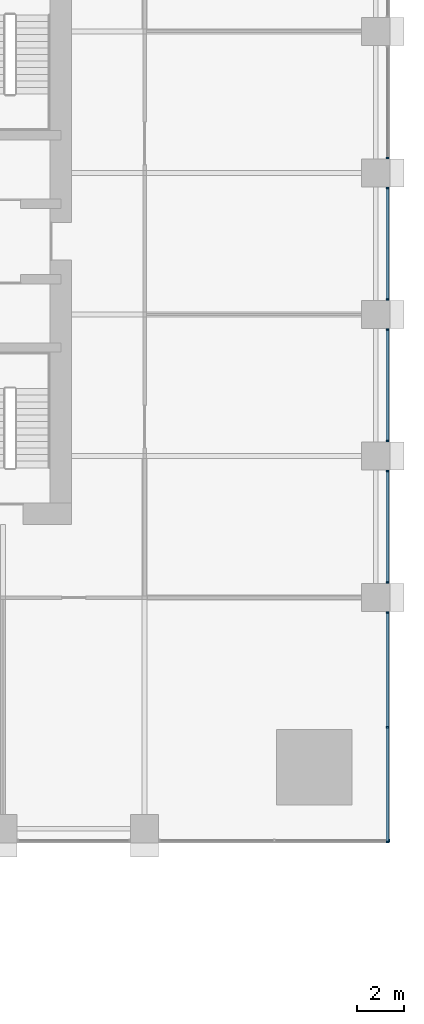
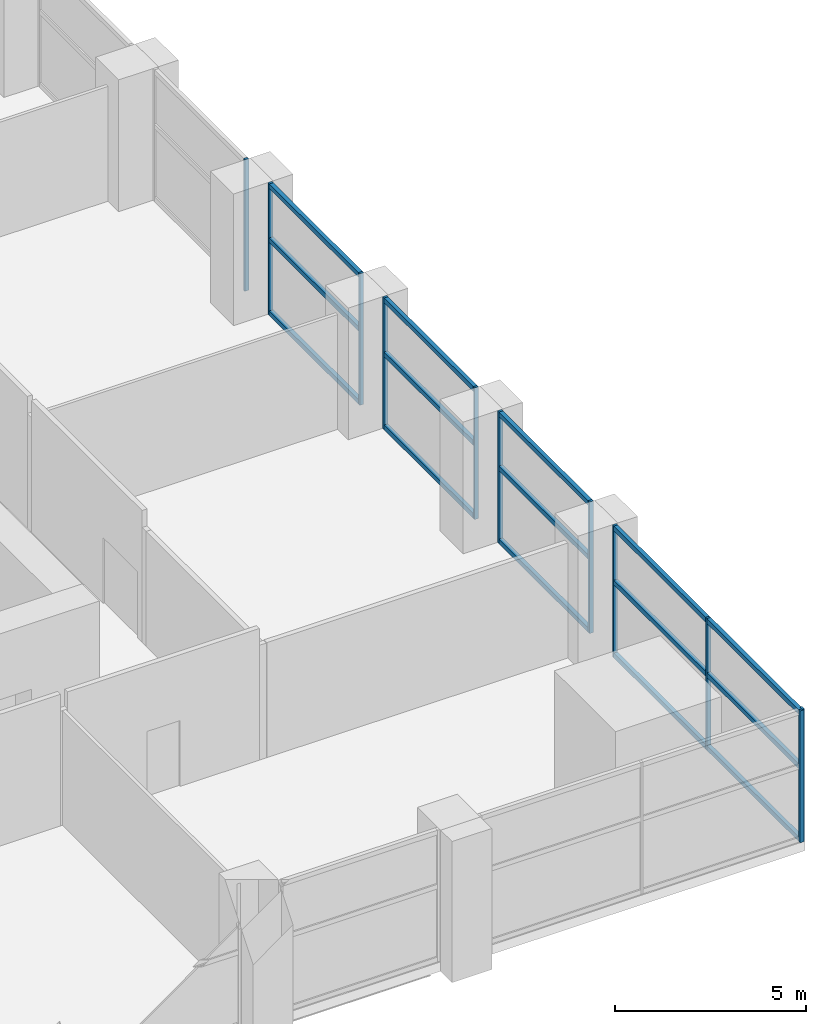
# One storey, part 6 of 25: 26 members, 6 elements without a shape of their own.
"""IFC4 building model written with IfcOpenShell, lengths in metres."""

from ifc_helpers import new_model, si_unit, direction, frame, origin, origin_2d, place, context, subcontext, project, spatial, rectangle, extrude, material, material_profile, profile_set, type_object, element, aggregate, save


model = new_model("IFC4")

# Units and contexts
model_context = context("Model", 3, precision=1e-05, world=origin(), true_north=direction((0.0, 1.0)))
body_context = subcontext(model_context, "Body", "Model", "MODEL_VIEW")
ifc_project = project(units=[si_unit("LENGTHUNIT", "METRE"), si_unit("AREAUNIT", "SQUARE_METRE"), si_unit("VOLUMEUNIT", "CUBIC_METRE"), si_unit("PLANEANGLEUNIT", "RADIAN"), si_unit("MASSUNIT", "GRAM", prefix="KILO")], contexts=[model_context])

# Site, building, storey
site_placement = place(None, origin())
site = spatial("IfcSite", under=ifc_project, at=site_placement, CompositionType="ELEMENT")
building_placement = place(site_placement, origin())
building = spatial("IfcBuilding", under=site, at=building_placement, Name="Amberfall Residences", CompositionType="ELEMENT")
storey_placement = place(building_placement, frame((0.0, 0.0, 10.0)))
storey = spatial("IfcBuildingStorey", under=building, at=storey_placement, Name="L02", CompositionType="ELEMENT", Elevation=10.0)

# Curtain wall, member
ifc_material_1 = material(Name="Bronze anodised aluminium and glass", Category="aluminium")
curtain_wall_type = type_object("IfcCurtainWallType", Name="Curtain wall CW4 podium storefront", PredefinedType="USERDEFINED", material=ifc_material_1)
curtain_wall_1_placement = place(storey_placement, origin())
curtain_wall_1 = element("IfcCurtainWall", 1, at=curtain_wall_1_placement, inside=storey, type_object=curtain_wall_type, Name="Storefront L02 S7", ObjectType="UNITISED CURTAIN WALL", PredefinedType="USERDEFINED")
ifc_material_2 = material(Name="Bronze anodised aluminium", Category="aluminium")
ifc_material_profile_1 = material_profile(ifc_material_2, rectangle(XDim=0.1201171875, YDim=0.070068359375, at=origin_2d()), Name="CW4 mullion 70 x 120 bronze")
ifc_profile_set_1 = profile_set([ifc_material_profile_1], Name="Bronze anodised aluminium")
member_type_1 = type_object("IfcMemberType", Name="CW4 mullion 70 x 120 bronze", PredefinedType="MULLION", material=ifc_profile_set_1)
member_1_placement = place(storey_placement, frame((99.965087890625, 20.10009765625, 0.0), z_axis=(0.0, 0.0, 1.0), x_axis=(0.0, 1.0, 0.0)))
member_1 = element("IfcMember", 2, at=member_1_placement, type_object=member_type_1, Name="CW4 mullion 3", PredefinedType="MULLION", context=body_context, shape_type="SweptSolid", body=[
    extrude(rectangle(XDim=0.1201171875, YDim=0.070068359375, at=origin_2d()), origin(), (0.0, 0.0, 1.0), 4.199951171875),
])
aggregate(curtain_wall_1, [member_1])

# Curtain wall, members
curtain_wall_2_placement = place(storey_placement, origin())
curtain_wall_2 = element("IfcCurtainWall", 3, at=curtain_wall_2_placement, inside=storey, type_object=curtain_wall_type, Name="Storefront L02 E1", ObjectType="UNITISED CURTAIN WALL", PredefinedType="USERDEFINED")
member_2_placement = place(storey_placement, frame((99.89990234375, 20.034912109375, 0.0), z_axis=(0.0, 0.0, 1.0), x_axis=(-1.0, 0.0, 0.0)))
member_2 = element("IfcMember", 4, at=member_2_placement, type_object=member_type_1, Name="CW4 mullion 1", PredefinedType="MULLION", context=body_context, shape_type="SweptSolid", body=[
    extrude(rectangle(XDim=0.1201171875, YDim=0.070068359375, at=origin_2d()), origin(), (0.0, 0.0, 1.0), 4.199951171875),
])
member_3_placement = place(storey_placement, frame((99.89990234375, 24.89990234375, 0.0), z_axis=(0.0, 0.0, 1.0), x_axis=(-1.0, 0.0, 0.0)))
member_3 = element("IfcMember", 5, at=member_3_placement, type_object=member_type_1, Name="CW4 mullion 2", PredefinedType="MULLION", context=body_context, shape_type="SweptSolid", body=[
    extrude(rectangle(XDim=0.1201171875, YDim=0.070068359375, at=origin_2d()), origin(), (0.0, 0.0, 1.0), 4.199951171875),
])
member_4_placement = place(storey_placement, frame((99.89990234375, 29.764892578125, 0.0), z_axis=(0.0, 0.0, 1.0), x_axis=(-1.0, 0.0, 0.0)))
member_4 = element("IfcMember", 6, at=member_4_placement, type_object=member_type_1, Name="CW4 mullion 3", PredefinedType="MULLION", context=body_context, shape_type="SweptSolid", body=[
    extrude(rectangle(XDim=0.1201171875, YDim=0.070068359375, at=origin_2d()), origin(), (0.0, 0.0, 1.0), 4.199951171875),
])

curtain_wall_3_placement = place(storey_placement, origin())
curtain_wall_3 = element("IfcCurtainWall", 7, at=curtain_wall_3_placement, inside=storey, type_object=curtain_wall_type, Name="Storefront L02 E2", ObjectType="UNITISED CURTAIN WALL", PredefinedType="USERDEFINED")
member_5_placement = place(storey_placement, frame((99.89990234375, 31.034912109375, 0.0), z_axis=(0.0, 0.0, 1.0), x_axis=(-1.0, 0.0, 0.0)))
member_5 = element("IfcMember", 8, at=member_5_placement, type_object=member_type_1, Name="CW4 mullion 1", PredefinedType="MULLION", context=body_context, shape_type="SweptSolid", body=[
    extrude(rectangle(XDim=0.1201171875, YDim=0.070068359375, at=origin_2d()), origin(), (0.0, 0.0, 1.0), 4.199951171875),
])
member_6_placement = place(storey_placement, frame((99.89990234375, 35.764892578125, 0.0), z_axis=(0.0, 0.0, 1.0), x_axis=(-1.0, 0.0, 0.0)))
member_6 = element("IfcMember", 9, at=member_6_placement, type_object=member_type_1, Name="CW4 mullion 2", PredefinedType="MULLION", context=body_context, shape_type="SweptSolid", body=[
    extrude(rectangle(XDim=0.1201171875, YDim=0.070068359375, at=origin_2d()), origin(), (0.0, 0.0, 1.0), 4.199951171875),
])

curtain_wall_4_placement = place(storey_placement, origin())
curtain_wall_4 = element("IfcCurtainWall", 10, at=curtain_wall_4_placement, inside=storey, type_object=curtain_wall_type, Name="Storefront L02 E3", ObjectType="UNITISED CURTAIN WALL", PredefinedType="USERDEFINED")
member_7_placement = place(storey_placement, frame((99.89990234375, 37.034912109375, 0.0), z_axis=(0.0, 0.0, 1.0), x_axis=(-1.0, 0.0, 0.0)))
member_7 = element("IfcMember", 11, at=member_7_placement, type_object=member_type_1, Name="CW4 mullion 1", PredefinedType="MULLION", context=body_context, shape_type="SweptSolid", body=[
    extrude(rectangle(XDim=0.1201171875, YDim=0.070068359375, at=origin_2d()), origin(), (0.0, 0.0, 1.0), 4.199951171875),
])
member_8_placement = place(storey_placement, frame((99.89990234375, 41.764892578125, 0.0), z_axis=(0.0, 0.0, 1.0), x_axis=(-1.0, 0.0, 0.0)))
member_8 = element("IfcMember", 12, at=member_8_placement, type_object=member_type_1, Name="CW4 mullion 2", PredefinedType="MULLION", context=body_context, shape_type="SweptSolid", body=[
    extrude(rectangle(XDim=0.1201171875, YDim=0.070068359375, at=origin_2d()), origin(), (0.0, 0.0, 1.0), 4.199951171875),
])

curtain_wall_5_placement = place(storey_placement, origin())
curtain_wall_5 = element("IfcCurtainWall", 13, at=curtain_wall_5_placement, inside=storey, type_object=curtain_wall_type, Name="Storefront L02 E4", ObjectType="UNITISED CURTAIN WALL", PredefinedType="USERDEFINED")
member_9_placement = place(storey_placement, frame((99.89990234375, 43.034912109375, 0.0), z_axis=(0.0, 0.0, 1.0), x_axis=(-1.0, 0.0, 0.0)))
member_9 = element("IfcMember", 14, at=member_9_placement, type_object=member_type_1, Name="CW4 mullion 1", PredefinedType="MULLION", context=body_context, shape_type="SweptSolid", body=[
    extrude(rectangle(XDim=0.1201171875, YDim=0.070068359375, at=origin_2d()), origin(), (0.0, 0.0, 1.0), 4.199951171875),
])
member_10_placement = place(storey_placement, frame((99.89990234375, 47.764892578125, 0.0), z_axis=(0.0, 0.0, 1.0), x_axis=(-1.0, 0.0, 0.0)))
member_10 = element("IfcMember", 15, at=member_10_placement, type_object=member_type_1, Name="CW4 mullion 2", PredefinedType="MULLION", context=body_context, shape_type="SweptSolid", body=[
    extrude(rectangle(XDim=0.1201171875, YDim=0.070068359375, at=origin_2d()), origin(), (0.0, 0.0, 1.0), 4.199951171875),
])

# Curtain wall, member
curtain_wall_6_placement = place(storey_placement, origin())
curtain_wall_6 = element("IfcCurtainWall", 16, at=curtain_wall_6_placement, inside=storey, type_object=curtain_wall_type, Name="Storefront L02 E5", ObjectType="UNITISED CURTAIN WALL", PredefinedType="USERDEFINED")
member_11_placement = place(storey_placement, frame((99.89990234375, 49.034912109375, 0.0), z_axis=(0.0, 0.0, 1.0), x_axis=(-1.0, 0.0, 0.0)))
member_11 = element("IfcMember", 17, at=member_11_placement, type_object=member_type_1, Name="CW4 mullion 1", PredefinedType="MULLION", context=body_context, shape_type="SweptSolid", body=[
    extrude(rectangle(XDim=0.1201171875, YDim=0.070068359375, at=origin_2d()), origin(), (0.0, 0.0, 1.0), 4.199951171875),
])
aggregate(curtain_wall_6, [member_11])

# Member
ifc_material_profile_2 = material_profile(ifc_material_2, rectangle(XDim=0.1201171875, YDim=0.14990234375, at=origin_2d()), Name="CW4 transom 120 x 150 bronze")
ifc_profile_set_2 = profile_set([ifc_material_profile_2], Name="Bronze anodised aluminium")
member_type_2 = type_object("IfcMemberType", Name="CW4 transom 120 x 150 bronze", PredefinedType="USERDEFINED", material=ifc_profile_set_2)
member_12_placement = place(storey_placement, frame((99.89990234375, 20.070068359375, 0.074951171875), z_axis=(0.0, 1.0, 0.0), x_axis=(-1.0, 0.0, 0.0)))
member_12 = element("IfcMember", 18, at=member_12_placement, type_object=member_type_2, Name="CW4 transom 1.1", ObjectType="TRANSOM", PredefinedType="USERDEFINED", context=body_context, shape_type="SweptSolid", body=[
    extrude(rectangle(XDim=0.1201171875, YDim=0.14990234375, at=origin_2d()), origin(), (0.0, 0.0, 1.0), 4.794921875),
])

member_13_placement = place(storey_placement, frame((99.89990234375, 20.070068359375, 2.39990234375), z_axis=(0.0, 1.0, 0.0), x_axis=(-1.0, 0.0, 0.0)))
member_13 = element("IfcMember", 19, at=member_13_placement, type_object=member_type_2, Name="CW4 transom 1.2", ObjectType="TRANSOM", PredefinedType="USERDEFINED", context=body_context, shape_type="SweptSolid", body=[
    extrude(rectangle(XDim=0.1201171875, YDim=0.14990234375, at=origin_2d()), origin(), (0.0, 0.0, 1.0), 4.794921875),
])

member_14_placement = place(storey_placement, frame((99.89990234375, 20.070068359375, 4.125), z_axis=(0.0, 1.0, 0.0), x_axis=(-1.0, 0.0, 0.0)))
member_14 = element("IfcMember", 20, at=member_14_placement, type_object=member_type_2, Name="CW4 transom 1.3", ObjectType="TRANSOM", PredefinedType="USERDEFINED", context=body_context, shape_type="SweptSolid", body=[
    extrude(rectangle(XDim=0.1201171875, YDim=0.14990234375, at=origin_2d()), origin(), (0.0, 0.0, 1.0), 4.794921875),
])

member_15_placement = place(storey_placement, frame((99.89990234375, 24.93505859375, 0.074951171875), z_axis=(0.0, 1.0, 0.0), x_axis=(-1.0, 0.0, 0.0)))
member_15 = element("IfcMember", 21, at=member_15_placement, type_object=member_type_2, Name="CW4 transom 2.1", ObjectType="TRANSOM", PredefinedType="USERDEFINED", context=body_context, shape_type="SweptSolid", body=[
    extrude(rectangle(XDim=0.1201171875, YDim=0.14990234375, at=origin_2d()), origin(), (0.0, 0.0, 1.0), 4.794921875),
])

member_16_placement = place(storey_placement, frame((99.89990234375, 24.93505859375, 2.39990234375), z_axis=(0.0, 1.0, 0.0), x_axis=(-1.0, 0.0, 0.0)))
member_16 = element("IfcMember", 22, at=member_16_placement, type_object=member_type_2, Name="CW4 transom 2.2", ObjectType="TRANSOM", PredefinedType="USERDEFINED", context=body_context, shape_type="SweptSolid", body=[
    extrude(rectangle(XDim=0.1201171875, YDim=0.14990234375, at=origin_2d()), origin(), (0.0, 0.0, 1.0), 4.794921875),
])

member_17_placement = place(storey_placement, frame((99.89990234375, 24.93505859375, 4.125), z_axis=(0.0, 1.0, 0.0), x_axis=(-1.0, 0.0, 0.0)))
member_17 = element("IfcMember", 23, at=member_17_placement, type_object=member_type_2, Name="CW4 transom 2.3", ObjectType="TRANSOM", PredefinedType="USERDEFINED", context=body_context, shape_type="SweptSolid", body=[
    extrude(rectangle(XDim=0.1201171875, YDim=0.14990234375, at=origin_2d()), origin(), (0.0, 0.0, 1.0), 4.794921875),
])

aggregate(curtain_wall_2, [member_2, member_3, member_4, member_12, member_13, member_14, member_15, member_16, member_17])

member_18_placement = place(storey_placement, frame((99.89990234375, 31.070068359375, 0.074951171875), z_axis=(0.0, 1.0, 0.0), x_axis=(-1.0, 0.0, 0.0)))
member_18 = element("IfcMember", 24, at=member_18_placement, type_object=member_type_2, Name="CW4 transom 1.1", ObjectType="TRANSOM", PredefinedType="USERDEFINED", context=body_context, shape_type="SweptSolid", body=[
    extrude(rectangle(XDim=0.1201171875, YDim=0.14990234375, at=origin_2d()), origin(), (0.0, 0.0, 1.0), 4.659912109375),
])

member_19_placement = place(storey_placement, frame((99.89990234375, 31.070068359375, 2.39990234375), z_axis=(0.0, 1.0, 0.0), x_axis=(-1.0, 0.0, 0.0)))
member_19 = element("IfcMember", 25, at=member_19_placement, type_object=member_type_2, Name="CW4 transom 1.2", ObjectType="TRANSOM", PredefinedType="USERDEFINED", context=body_context, shape_type="SweptSolid", body=[
    extrude(rectangle(XDim=0.1201171875, YDim=0.14990234375, at=origin_2d()), origin(), (0.0, 0.0, 1.0), 4.659912109375),
])

member_20_placement = place(storey_placement, frame((99.89990234375, 31.070068359375, 4.125), z_axis=(0.0, 1.0, 0.0), x_axis=(-1.0, 0.0, 0.0)))
member_20 = element("IfcMember", 26, at=member_20_placement, type_object=member_type_2, Name="CW4 transom 1.3", ObjectType="TRANSOM", PredefinedType="USERDEFINED", context=body_context, shape_type="SweptSolid", body=[
    extrude(rectangle(XDim=0.1201171875, YDim=0.14990234375, at=origin_2d()), origin(), (0.0, 0.0, 1.0), 4.659912109375),
])

aggregate(curtain_wall_3, [member_5, member_6, member_18, member_19, member_20])

member_21_placement = place(storey_placement, frame((99.89990234375, 37.070068359375, 0.074951171875), z_axis=(0.0, 1.0, 0.0), x_axis=(-1.0, 0.0, 0.0)))
member_21 = element("IfcMember", 27, at=member_21_placement, type_object=member_type_2, Name="CW4 transom 1.1", ObjectType="TRANSOM", PredefinedType="USERDEFINED", context=body_context, shape_type="SweptSolid", body=[
    extrude(rectangle(XDim=0.1201171875, YDim=0.14990234375, at=origin_2d()), origin(), (0.0, 0.0, 1.0), 4.659912109375),
])

member_22_placement = place(storey_placement, frame((99.89990234375, 37.070068359375, 2.39990234375), z_axis=(0.0, 1.0, 0.0), x_axis=(-1.0, 0.0, 0.0)))
member_22 = element("IfcMember", 28, at=member_22_placement, type_object=member_type_2, Name="CW4 transom 1.2", ObjectType="TRANSOM", PredefinedType="USERDEFINED", context=body_context, shape_type="SweptSolid", body=[
    extrude(rectangle(XDim=0.1201171875, YDim=0.14990234375, at=origin_2d()), origin(), (0.0, 0.0, 1.0), 4.659912109375),
])

member_23_placement = place(storey_placement, frame((99.89990234375, 37.070068359375, 4.125), z_axis=(0.0, 1.0, 0.0), x_axis=(-1.0, 0.0, 0.0)))
member_23 = element("IfcMember", 29, at=member_23_placement, type_object=member_type_2, Name="CW4 transom 1.3", ObjectType="TRANSOM", PredefinedType="USERDEFINED", context=body_context, shape_type="SweptSolid", body=[
    extrude(rectangle(XDim=0.1201171875, YDim=0.14990234375, at=origin_2d()), origin(), (0.0, 0.0, 1.0), 4.659912109375),
])

aggregate(curtain_wall_4, [member_7, member_8, member_21, member_22, member_23])

member_24_placement = place(storey_placement, frame((99.89990234375, 43.070068359375, 0.074951171875), z_axis=(0.0, 1.0, 0.0), x_axis=(-1.0, 0.0, 0.0)))
member_24 = element("IfcMember", 30, at=member_24_placement, type_object=member_type_2, Name="CW4 transom 1.1", ObjectType="TRANSOM", PredefinedType="USERDEFINED", context=body_context, shape_type="SweptSolid", body=[
    extrude(rectangle(XDim=0.1201171875, YDim=0.14990234375, at=origin_2d()), origin(), (0.0, 0.0, 1.0), 4.659912109375),
])

member_25_placement = place(storey_placement, frame((99.89990234375, 43.070068359375, 2.39990234375), z_axis=(0.0, 1.0, 0.0), x_axis=(-1.0, 0.0, 0.0)))
member_25 = element("IfcMember", 31, at=member_25_placement, type_object=member_type_2, Name="CW4 transom 1.2", ObjectType="TRANSOM", PredefinedType="USERDEFINED", context=body_context, shape_type="SweptSolid", body=[
    extrude(rectangle(XDim=0.1201171875, YDim=0.14990234375, at=origin_2d()), origin(), (0.0, 0.0, 1.0), 4.659912109375),
])

member_26_placement = place(storey_placement, frame((99.89990234375, 43.070068359375, 4.125), z_axis=(0.0, 1.0, 0.0), x_axis=(-1.0, 0.0, 0.0)))
member_26 = element("IfcMember", 32, at=member_26_placement, type_object=member_type_2, Name="CW4 transom 1.3", ObjectType="TRANSOM", PredefinedType="USERDEFINED", context=body_context, shape_type="SweptSolid", body=[
    extrude(rectangle(XDim=0.1201171875, YDim=0.14990234375, at=origin_2d()), origin(), (0.0, 0.0, 1.0), 4.659912109375),
])

aggregate(curtain_wall_5, [member_9, member_10, member_24, member_25, member_26])

save(model, "model.ifc")
